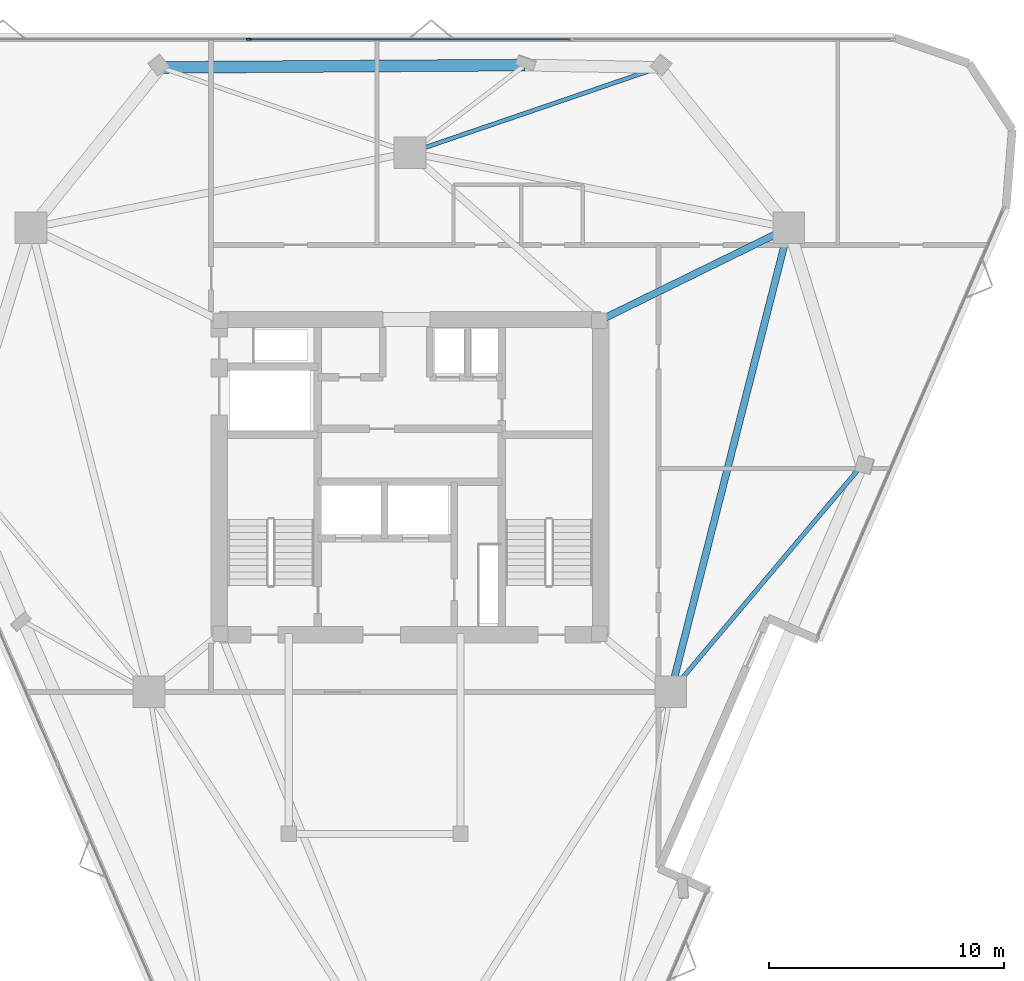
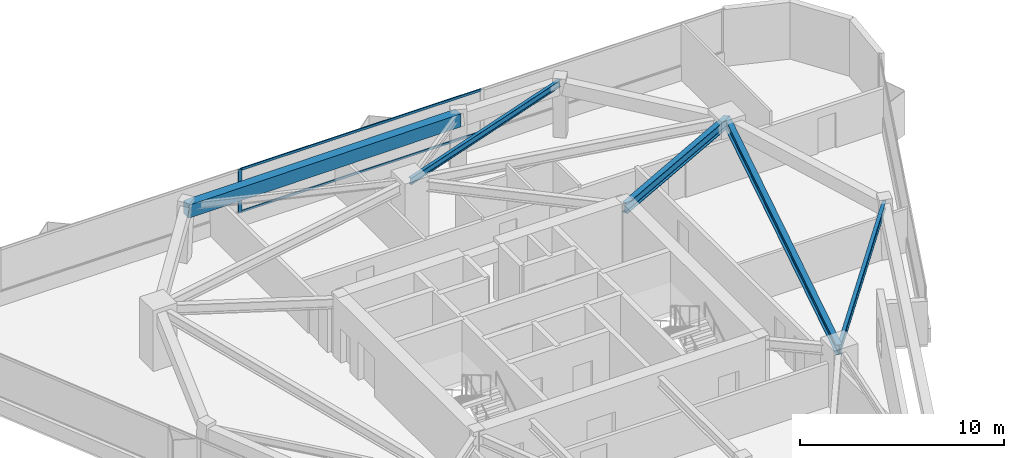
# One storey, part 5 of 10: 5 beams, 3 members, 1 element without a shape of its own.
"""IFC4 building model written with IfcOpenShell, lengths in metres."""

from ifc_helpers import new_model, si_unit, direction, frame, origin, origin_2d, place, context, subcontext, project, spatial, rectangle, i_section, extrude, material, layer, layer_set, material_profile, profile_set, type_object, element, aggregate, save


model = new_model("IFC4")

# Units and contexts
model_context = context("Model", 3, precision=1e-05, world=origin(), true_north=direction((0.0, 1.0)))
body_context = subcontext(model_context, "Body", "Model", "MODEL_VIEW")
ifc_project = project(units=[si_unit("LENGTHUNIT", "METRE"), si_unit("AREAUNIT", "SQUARE_METRE"), si_unit("VOLUMEUNIT", "CUBIC_METRE"), si_unit("PLANEANGLEUNIT", "RADIAN"), si_unit("MASSUNIT", "GRAM", prefix="KILO")], contexts=[model_context])

# Site, building, storey
site_placement = place(None, origin())
site = spatial("IfcSite", under=ifc_project, at=site_placement, CompositionType="ELEMENT")
building_placement = place(site_placement, origin())
building = spatial("IfcBuilding", under=site, at=building_placement, Name="Talyreon Biosciences Tower", CompositionType="ELEMENT")
storey_placement = place(building_placement, frame((0.0, 0.0, 204.949951171875)))
storey = spatial("IfcBuildingStorey", under=building, at=storey_placement, Name="L54", CompositionType="ELEMENT", Elevation=204.949951171875)

# Curtain wall, members
ifc_material_1 = material(Name="Thermally broken aluminium and low-E glazing", Category="aluminium")
ifc_layer = layer(ifc_material_1, 0.205078125)
ifc_layer_set = layer_set([ifc_layer], Name="Thermally broken aluminium and low-E glazing")
curtain_wall_type = type_object("IfcCurtainWallType", Name="CurtainWall_SkyGardenLoggia", PredefinedType="NOTDEFINED", material=ifc_layer_set)
curtain_wall_placement = place(storey_placement, origin())
curtain_wall = element("IfcCurtainWall", 1, at=curtain_wall_placement, inside=storey, type_object=curtain_wall_type, Name="L54 Unitised Curtain Wall FCW-L54-03", PredefinedType="NOTDEFINED")
ifc_material_2 = material(Name="Anodised thermally broken aluminium", Category="aluminium")
ifc_material_profile_1 = material_profile(ifc_material_2, rectangle(XDim=0.074951171875, YDim=0.2099609375, at=origin_2d()), Name="ALUM MULLION 75x210")
ifc_profile_set_1 = profile_set([ifc_material_profile_1], Name="Anodised thermally broken aluminium")
member_type_1 = type_object("IfcMemberType", Name="CWMullion_75x210", PredefinedType="MULLION", material=ifc_profile_set_1)
member_1_placement = place(storey_placement, frame((59.144775390625, 86.605224609375, 0.81005859375), z_axis=(0.0, 0.0, 1.0), x_axis=(0.0, 1.0, 0.0)))
member_1 = element("IfcMember", 2, at=member_1_placement, type_object=member_type_1, Name="CW7 mullion 2", PredefinedType="MULLION", context=body_context, shape_type="SweptSolid", body=[
    extrude(rectangle(XDim=0.074951171875, YDim=0.2099609375, at=origin_2d()), origin(), (0.0, 0.0, 1.0), 2.590087890625),
])
ifc_material_profile_2 = material_profile(ifc_material_2, rectangle(XDim=0.06494140625, YDim=0.139892578125, at=origin_2d()), Name="ALUM TRANSOM 65x140")
ifc_profile_set_2 = profile_set([ifc_material_profile_2], Name="Anodised thermally broken aluminium")
member_type_2 = type_object("IfcMemberType", Name="CWTransom_65x140", PredefinedType="USERDEFINED", material=ifc_profile_set_2)
member_2_placement = place(storey_placement, frame((59.182373046875, 86.605224609375, 0.842529296875), z_axis=(1.0, 0.0, 0.0), x_axis=(0.0, 1.0, 0.0)))
member_2 = element("IfcMember", 3, at=member_2_placement, type_object=member_type_2, Name="CW7 transom 2.1", ObjectType="TRANSOM", PredefinedType="USERDEFINED", context=body_context, shape_type="SweptSolid", body=[
    extrude(rectangle(XDim=0.06494140625, YDim=0.139892578125, at=origin_2d()), origin(), (0.0, 0.0, 1.0), 13.63525390625),
])
member_3_placement = place(storey_placement, frame((59.182373046875, 86.605224609375, 3.367431640625), z_axis=(1.0, 0.0, 0.0), x_axis=(0.0, 1.0, 0.0)))
member_3 = element("IfcMember", 4, at=member_3_placement, type_object=member_type_2, Name="CW7 transom 2.2", ObjectType="TRANSOM", PredefinedType="USERDEFINED", context=body_context, shape_type="SweptSolid", body=[
    extrude(rectangle(XDim=0.06494140625, YDim=0.139892578125, at=origin_2d()), origin(), (0.0, 0.0, 1.0), 13.63525390625),
])
aggregate(curtain_wall, [member_1, member_2, member_3])

# Beams
ifc_material_3 = material(Name="Precast concrete C45/55", Category="concrete")
ifc_material_profile_3 = material_profile(ifc_material_3, rectangle(XDim=0.5, YDim=0.780029296875, at=origin_2d()), Name="RCB 500x780")
ifc_profile_set_3 = profile_set([ifc_material_profile_3], Name="Precast concrete C45/55")
beam_type_1 = type_object("IfcBeamType", Name="ExpressedSpandrel_500x780", PredefinedType="SPANDREL", material=ifc_profile_set_3)
beam_1_placement = place(storey_placement, frame((70.890380859375, 85.512939453125, 3.010009765625), z_axis=(-0.999979111498, -0.006463479564, 0.0), x_axis=(0.006463479564, -0.999979111498, 0.0)))
element("IfcBeam", 5, at=beam_1_placement, inside=storey, type_object=beam_type_1, Name="L54 Expressed Horizontal Concrete Spandrel 07", PredefinedType="SPANDREL", context=body_context, shape_type="SweptSolid", body=[
    extrude(rectangle(XDim=0.5, YDim=0.780029296875, at=origin_2d()), origin(), (0.0, 0.0, 1.0), 15.486572265625),
])
ifc_material_4 = material(Name="Steel SM355", Category="steel")
ifc_material_profile_4 = material_profile(ifc_material_4, i_section(OverallWidth=0.300048828125, OverallDepth=0.60009765625, WebThickness=0.015380859375, FlangeThickness=0.030029296875, FilletRadius=0.027099609375, at=origin_2d()), Name="HE600B")
ifc_profile_set_4 = profile_set([ifc_material_profile_4], Name="Steel SM355")
beam_type_2 = type_object("IfcBeamType", Name="SteelBeam_HE600B", PredefinedType="BEAM", material=ifc_profile_set_4)
beam_2_placement = place(storey_placement, frame((77.086181640625, 58.88037109375, 3.10009765625), z_axis=(0.246537082299, 0.969133358755, 0.0), x_axis=(-0.969133358755, 0.246537082299, 0.0)))
element("IfcBeam", 6, at=beam_2_placement, inside=storey, type_object=beam_type_2, Name="L54 Mega-Ring Girder 2", PredefinedType="BEAM", context=body_context, shape_type="SweptSolid", body=[
    extrude(i_section(OverallWidth=0.300048828125, OverallDepth=0.60009765625, WebThickness=0.015380859375, FlangeThickness=0.030029296875, FilletRadius=0.027099609375, at=origin_2d()), origin(), (0.0, 0.0, 1.0), 20.34619140625),
])
beam_3_placement = place(storey_placement, frame((74.050048828125, 74.64990234375, 3.10009765625), z_axis=(0.897852360314, 0.440296648952, 0.0), x_axis=(-0.440296648952, 0.897852360314, 0.0)))
element("IfcBeam", 7, at=beam_3_placement, inside=storey, type_object=beam_type_2, Name="L54 Radial Primary Girder 3", PredefinedType="BEAM", context=body_context, shape_type="SweptSolid", body=[
    extrude(i_section(OverallWidth=0.300048828125, OverallDepth=0.60009765625, WebThickness=0.015380859375, FlangeThickness=0.030029296875, FilletRadius=0.027099609375, at=origin_2d()), origin(), (0.0, 0.0, 1.0), 8.96826171875),
])
ifc_material_profile_5 = material_profile(ifc_material_4, i_section(OverallWidth=0.179931640625, OverallDepth=0.39990234375, WebThickness=0.008544921875, FlangeThickness=0.013427734375, FilletRadius=0.02099609375, at=origin_2d()), Name="IPE400")
ifc_profile_set_5 = profile_set([ifc_material_profile_5], Name="Steel SM355")
beam_type_3 = type_object("IfcBeamType", Name="SteelJoist_IPE400", PredefinedType="JOIST", material=ifc_profile_set_5)
beam_4_placement = place(storey_placement, frame((66.0, 81.788818359375, 3.199951171875), z_axis=(0.946188756753, 0.323615260138, 0.0), x_axis=(-0.323615260138, 0.946188756753, 0.0)))
element("IfcBeam", 8, at=beam_4_placement, inside=storey, type_object=beam_type_3, Name="L54 Radial Composite Floor Joist PC-N1", PredefinedType="JOIST", context=body_context, shape_type="SweptSolid", body=[
    extrude(i_section(OverallWidth=0.179931640625, OverallDepth=0.39990234375, WebThickness=0.008544921875, FlangeThickness=0.013427734375, FilletRadius=0.02099609375, at=origin_2d()), origin(), (0.0, 0.0, 1.0), 11.198486328125),
])
ifc_material_profile_6 = material_profile(ifc_material_4, i_section(OverallWidth=0.18994140625, OverallDepth=0.449951171875, WebThickness=0.009521484375, FlangeThickness=0.0146484375, FilletRadius=0.02099609375, at=origin_2d()), Name="IPE450")
ifc_profile_set_6 = profile_set([ifc_material_profile_6], Name="Steel SM355")
beam_type_4 = type_object("IfcBeamType", Name="SteelJoist_IPE450", PredefinedType="JOIST", material=ifc_profile_set_6)
beam_5_placement = place(storey_placement, frame((77.086181640625, 58.88037109375, 3.175048828125), z_axis=(0.644997037926, 0.764185069906, 0.0), x_axis=(-0.764185069906, 0.644997037926, 0.0)))
element("IfcBeam", 9, at=beam_5_placement, inside=storey, type_object=beam_type_4, Name="L54 Radial Composite Floor Joist PC-SE2", PredefinedType="JOIST", context=body_context, shape_type="SweptSolid", body=[
    extrude(i_section(OverallWidth=0.18994140625, OverallDepth=0.449951171875, WebThickness=0.009521484375, FlangeThickness=0.0146484375, FilletRadius=0.02099609375, at=origin_2d()), origin(), (0.0, 0.0, 1.0), 12.5810546875),
])

save(model, "model.ifc")
